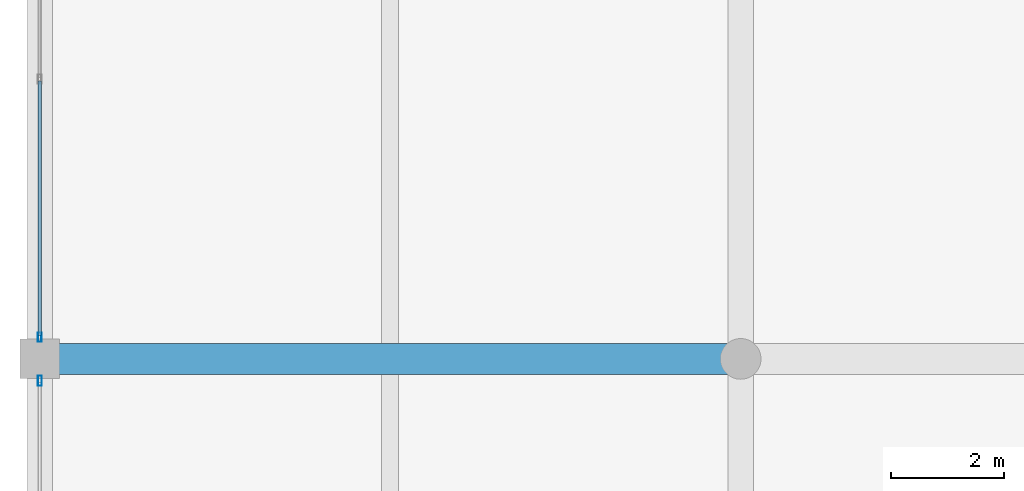
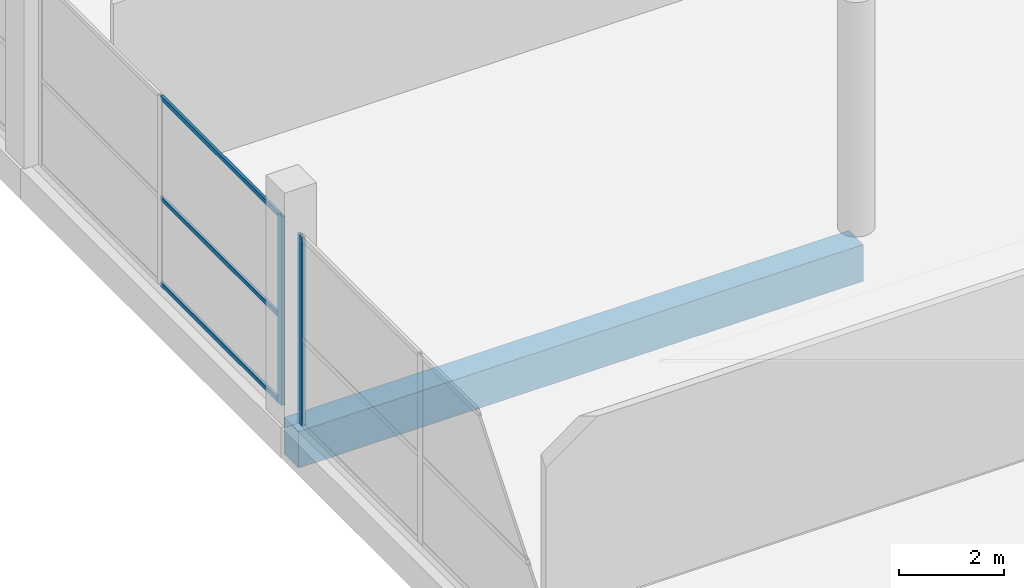
# One storey, part 22 of 72: 5 members, 1 beam, 2 elements without a shape of their own.
"""IFC4 building model written with IfcOpenShell, lengths in metres."""

import ifcopenshell
import ifcopenshell.guid

model = None  # the IFC model being written
_history = None  # IfcOwnerHistory: only IFC2X3 demands one
_inside = {}  # id of a spatial element -> (the spatial element, [elements in it])
_under = {}  # id of a project, library or spatial element -> (it, [spatial elements below it])
_declared = {}  # id of a project -> (the project, [libraries it declares])
_typed = {}  # id of a type object -> (the type object, [elements of that type])
_made_of = {}  # id of a material, layer set ... -> (it, [elements and type objects made of it])


def new_model(schema):
    """Start an empty IFC model of exactly this schema.

    Asked for "IFC4X3", IfcOpenShell would pick the latest addendum, in which some entities
    have other attributes; the version numbers below select the first issue.
    IFC2X3 requires an IfcOwnerHistory on every rooted entity: one is made here for all.
    """
    global model, _history
    if schema == "IFC4X3":
        model = ifcopenshell.file(schema_version=(4, 3, 0, 0))
    else:
        model = ifcopenshell.file(schema=schema)
    _inside.clear()
    _under.clear()
    _declared.clear()
    _typed.clear()
    _made_of.clear()
    _history = None
    if model.schema == "IFC2X3":
        org = make("IfcOrganization", Name="unknown")
        user = make(
            "IfcPersonAndOrganization",
            ThePerson=make("IfcPerson", FamilyName="unknown"),
            TheOrganization=org,
        )
        app = make(
            "IfcApplication",
            ApplicationDeveloper=org,
            Version="unknown",
            ApplicationFullName="unknown",
            ApplicationIdentifier="unknown",
        )
        _history = make(
            "IfcOwnerHistory",
            OwningUser=user,
            OwningApplication=app,
            ChangeAction="ADDED",
            CreationDate=0,
        )
    return model


def make(cls, **values):
    """One entity of the class cls with the attributes given. An attribute that is None is left unset."""
    return model.create_entity(
        cls, **{name: value for name, value in values.items() if value is not None}
    )


def rooted(cls, **values):
    """An entity with a GlobalId (a new one), such as an element, a storey or a relation."""
    return make(cls, GlobalId=ifcopenshell.guid.new(), OwnerHistory=_history, **values)


def si_unit(unit_type, name, prefix=None):
    """IfcSIUnit, for example si_unit("LENGTHUNIT", "METRE", prefix="MILLI")."""
    return make("IfcSIUnit", UnitType=unit_type, Prefix=prefix, Name=name)


def assignment(units):
    """IfcUnitAssignment: the units of a project."""
    return None if units is None else make("IfcUnitAssignment", Units=units)


def point(xyz):
    """IfcCartesianPoint."""
    return None if xyz is None else make("IfcCartesianPoint", Coordinates=xyz)


def direction(xyz):
    """IfcDirection."""
    return None if xyz is None else make("IfcDirection", DirectionRatios=xyz)


def frame(location, z_axis=None, x_axis=None):
    """IfcAxis2Placement3D, a coordinate frame: its origin and axes. An axis left out is left unset."""
    return make(
        "IfcAxis2Placement3D",
        Location=point(location),
        Axis=direction(z_axis),
        RefDirection=direction(x_axis),
    )


def frame_2d(location, x_axis=None):
    """IfcAxis2Placement2D, a coordinate frame in the plane: its origin and x axis."""
    return make(
        "IfcAxis2Placement2D", Location=point(location), RefDirection=direction(x_axis)
    )


def origin():
    """The frame at (0, 0, 0) with its axes left unset."""
    return frame((0.0, 0.0, 0.0))


def origin_2d():
    """The frame at (0, 0) in the plane with its x axis left unset."""
    return frame_2d((0.0, 0.0))


def place(relative_to, where):
    """IfcLocalPlacement: puts the frame where relative to a parent placement (None: the world)."""
    return make(
        "IfcLocalPlacement", PlacementRelTo=relative_to, RelativePlacement=where
    )


def context(
    kind, dimensions, precision=None, world=None, true_north=None, identifier=None
):
    """IfcGeometricRepresentationContext, for example the 3D "Model" context."""
    return make(
        "IfcGeometricRepresentationContext",
        ContextIdentifier=identifier,
        ContextType=kind,
        CoordinateSpaceDimension=dimensions,
        Precision=precision,
        WorldCoordinateSystem=world,
        TrueNorth=true_north,
    )


def subcontext(parent, identifier, kind, view, scale=None):
    """IfcGeometricRepresentationSubContext, for example "Body" below "Model"."""
    return make(
        "IfcGeometricRepresentationSubContext",
        ContextIdentifier=identifier,
        ContextType=kind,
        ParentContext=parent,
        TargetScale=scale,
        TargetView=view,
    )


def project(units=None, contexts=None):
    """IfcProject with its units and contexts."""
    return rooted(
        "IfcProject",
        Name="project",
        RepresentationContexts=contexts,
        UnitsInContext=assignment(units),
    )


def spatial(cls, under=None, at=None, **own):
    """A site, building, storey or space (cls), placed at a placement, below another one or the project."""
    s = rooted(cls, ObjectPlacement=at, **own)
    if under is not None:
        _under.setdefault(under.id(), (under, []))[1].append(s)
    return s


def profile(cls, at=None, kind="AREA", **sizes):
    """A parametric profile (cls). Its sizes go by their IFC names, for example OverallWidth=200.0."""
    return make(cls, ProfileType=kind, Position=at, **sizes)


def rectangle(**sizes):
    """IfcRectangleProfileDef."""
    return profile("IfcRectangleProfileDef", **sizes)


def hollow_rectangle(**sizes):
    """IfcRectangleHollowProfileDef."""
    return profile("IfcRectangleHollowProfileDef", **sizes)


def extrude(swept, where, along, depth):
    """IfcExtrudedAreaSolid: the profile swept, set in the frame where, extruded along a direction by depth."""
    return make(
        "IfcExtrudedAreaSolid",
        SweptArea=swept,
        Position=where,
        ExtrudedDirection=direction(along),
        Depth=depth,
    )


def shape(context_of_items, identifier, shape_type, items):
    """IfcShapeRepresentation: the items that make up one representation, for example the "Body"."""
    return make(
        "IfcShapeRepresentation",
        ContextOfItems=context_of_items,
        RepresentationIdentifier=identifier,
        RepresentationType=shape_type,
        Items=items,
    )


def material(Name=None, Category=None):
    """IfcMaterial."""
    return make("IfcMaterial", Name=Name, Category=Category)


def layer(
    of_material, thickness, ventilated=None, Name=None, Category=None, Priority=None
):
    """IfcMaterialLayer: one layer of a wall or slab, of a material (None: an air gap)."""
    return make(
        "IfcMaterialLayer",
        Material=of_material,
        LayerThickness=thickness,
        IsVentilated=ventilated,
        Name=Name,
        Category=Category,
        Priority=Priority,
    )


def layer_set(layers, Name=None):
    """IfcMaterialLayerSet."""
    return make("IfcMaterialLayerSet", MaterialLayers=layers, LayerSetName=Name)


def material_profile(
    of_material, cross_section, Name=None, Category=None, Priority=None
):
    """IfcMaterialProfile: a cross section and its material."""
    return make(
        "IfcMaterialProfile",
        Name=Name,
        Material=of_material,
        Profile=cross_section,
        Priority=Priority,
        Category=Category,
    )


def profile_set(profiles, Name=None, composite=None):
    """IfcMaterialProfileSet."""
    return make(
        "IfcMaterialProfileSet",
        Name=Name,
        MaterialProfiles=profiles,
        CompositeProfile=composite,
    )


def made_of(thing, what):
    """Note that an element or type object is made of a material, layer set ...; save() writes the relation."""
    if what is not None:
        _made_of.setdefault(what.id(), (what, []))[1].append(thing)
    return thing


def type_object(cls, material=None, **own):
    """A type object (cls), such as IfcWallType, which elements share."""
    return made_of(rooted(cls, **own), material)


def element(
    cls,
    number,
    at=None,
    inside=None,
    cuts=None,
    type_object=None,
    material=None,
    context=None,
    identifier="Body",
    shape_type=None,
    held_by="IfcProductDefinitionShape",
    body=None,
    shapes=None,
    **own,
):
    """One element of the class cls, such as IfcWall. Its Tag is "e" and its number.

    at: its placement. inside: the storey or other place that contains it. cuts: it is an
    opening in that element (IfcRelVoidsElement). A single representation is given by context,
    identifier, shape_type and body (its items); several are given by shapes. held_by: the class
    of the entity that holds the representations. save() writes the other relations.
    """
    e = rooted(cls, Tag="e%d" % number, ObjectPlacement=at, **own)
    if body is not None:
        shapes = [shape(context, identifier, shape_type, body)]
    if shapes is not None:
        e.Representation = make(held_by, Representations=shapes)
    if inside is not None:
        _inside.setdefault(inside.id(), (inside, []))[1].append(e)
    if cuts is not None:
        rooted(
            "IfcRelVoidsElement", RelatingBuildingElement=cuts, RelatedOpeningElement=e
        )
    if type_object is not None:
        _typed.setdefault(type_object.id(), (type_object, []))[1].append(e)
    return made_of(e, material)


def aggregate(whole, parts):
    """IfcRelAggregates: a whole, such as a stair, and the parts it consists of."""
    return rooted("IfcRelAggregates", RelatingObject=whole, RelatedObjects=parts)


def save(model, path):
    """Write the relations noted so far, then the file.

    IfcRelAggregates (storeys below a building ...), IfcRelContainedInSpatialStructure (elements
    in a storey), IfcRelDefinesByType, IfcRelAssociatesMaterial and IfcRelDeclares: one each for
    every whole, place, type object, material and project.
    """
    for whole, parts in _under.values():
        aggregate(whole, parts)
    for where, things in _inside.values():
        rooted(
            "IfcRelContainedInSpatialStructure",
            RelatedElements=things,
            RelatingStructure=where,
        )
    for kind, things in _typed.values():
        rooted("IfcRelDefinesByType", RelatedObjects=things, RelatingType=kind)
    for what, things in _made_of.values():
        rooted("IfcRelAssociatesMaterial", RelatedObjects=things, RelatingMaterial=what)
    for by, libraries in _declared.values():
        rooted("IfcRelDeclares", RelatingContext=by, RelatedDefinitions=libraries)
    model.write(path)


model = new_model("IFC4")

# Units and contexts
model_context = context("Model", 3, precision=1e-05, world=origin(), true_north=direction((0.0, 1.0)))
body_context = subcontext(model_context, "Body", "Model", "MODEL_VIEW")
ifc_project = project(units=[si_unit("LENGTHUNIT", "METRE"), si_unit("AREAUNIT", "SQUARE_METRE"), si_unit("VOLUMEUNIT", "CUBIC_METRE"), si_unit("PLANEANGLEUNIT", "RADIAN"), si_unit("MASSUNIT", "GRAM", prefix="KILO")], contexts=[model_context])

# Site, building, storey
site_placement = place(None, origin())
site = spatial("IfcSite", under=ifc_project, at=site_placement, CompositionType="ELEMENT")
building_placement = place(site_placement, origin())
building = spatial("IfcBuilding", under=site, at=building_placement, Name="Sillaruma Civic Art Gallery", CompositionType="ELEMENT")
storey_placement = place(building_placement, frame((0.0, 0.0, 10.8798828125)))
storey = spatial("IfcBuildingStorey", under=building, at=storey_placement, Name="L02", CompositionType="ELEMENT", Elevation=10.8798828125)

# Beam
ifc_material_1 = material(Name="Concrete H40 (40 MPa)", Category="concrete")
ifc_material_profile_1 = material_profile(ifc_material_1, rectangle(XDim=0.550048828125, YDim=0.85009765625, at=origin_2d()), Name="RCB550x850")
ifc_profile_set_1 = profile_set([ifc_material_profile_1], Name="Concrete H40 (40 MPa)")
beam_type = type_object("IfcBeamType", Name="BM-BEAM-RCB550x850", PredefinedType="BEAM", material=ifc_profile_set_1)
beam_placement = place(storey_placement, frame((0.0, 99.0, -0.684814453125), z_axis=(1.0, 0.0, 0.0), x_axis=(0.0, 1.0, 0.0)))
element("IfcBeam", 1, at=beam_placement, inside=storey, type_object=beam_type, Name="Beam BM-01 (L01:11:A-B)", PredefinedType="BEAM", context=body_context, shape_type="SweptSolid", body=[
    extrude(rectangle(XDim=0.550048828125, YDim=0.85009765625, at=origin_2d()), origin(), (0.0, 0.0, 1.0), 12.39990234375),
])

# Curtain wall, member
ifc_material_2 = material(Name="Thermally Broken Extruded Aluminium 6063-T6", Category="aluminium")
ifc_layer_1 = layer(ifc_material_2, 0.159912109375, Name="Thermally Broken Extruded Aluminium 6063-T6")
ifc_layer_set_1 = layer_set([ifc_layer_1], Name="Thermally Broken Extruded Aluminium 6063-T6")
curtain_wall_type_1 = type_object("IfcCurtainWallType", Name="CW-UNI-10", PredefinedType="NOTDEFINED", material=ifc_layer_set_1)
curtain_wall_1_placement = place(storey_placement, origin())
curtain_wall_1 = element("IfcCurtainWall", 2, at=curtain_wall_1_placement, inside=storey, type_object=curtain_wall_type_1, Name="Unitised Curtain Wall CW-10 (CW-L02-WSTR-3)", PredefinedType="NOTDEFINED")
ifc_material_profile_2 = material_profile(ifc_material_2, hollow_rectangle(XDim=0.06494140625, YDim=0.159912109375, WallThickness=0.00390625, at=origin_2d()), Name="CWM65x160")
ifc_profile_set_2 = profile_set([ifc_material_profile_2], Name="Thermally Broken Extruded Aluminium 6063-T6")
member_type_1 = type_object("IfcMemberType", Name="MEM-MUL-CWM65x160", PredefinedType="MULLION", material=ifc_profile_set_2)
member_1_placement = place(storey_placement, frame((0.0, 99.382568359375, 0.0), z_axis=(0.0, 0.0, 1.0), x_axis=(-1.0, 0.0, 0.0)))
member_1 = element("IfcMember", 3, at=member_1_placement, type_object=member_type_1, Name="CW-10 mullion 1", PredefinedType="MULLION", context=body_context, shape_type="SweptSolid", body=[
    extrude(hollow_rectangle(XDim=0.06494140625, YDim=0.159912109375, WallThickness=0.00390625, at=origin_2d()), origin(), (0.0, 0.0, 1.0), 4.380126953125),
])

ifc_layer_2 = layer(ifc_material_2, 0.179931640625, Name="Thermally Broken Extruded Aluminium 6063-T6")
ifc_layer_set_2 = layer_set([ifc_layer_2], Name="Thermally Broken Extruded Aluminium 6063-T6")
curtain_wall_type_2 = type_object("IfcCurtainWallType", Name="CW-UNI-09", PredefinedType="NOTDEFINED", material=ifc_layer_set_2)
curtain_wall_2_placement = place(storey_placement, origin())
curtain_wall_2 = element("IfcCurtainWall", 4, at=curtain_wall_2_placement, inside=storey, type_object=curtain_wall_type_2, Name="Unitised Curtain Wall CW-09 (CW-L02-WSTR-2)", PredefinedType="NOTDEFINED")
ifc_material_profile_3 = material_profile(ifc_material_2, hollow_rectangle(XDim=0.070068359375, YDim=0.179931640625, WallThickness=0.00390625, at=origin_2d()), Name="CWM70x180")
ifc_profile_set_3 = profile_set([ifc_material_profile_3], Name="Thermally Broken Extruded Aluminium 6063-T6")
member_type_2 = type_object("IfcMemberType", Name="MEM-MUL-CWM70x180", PredefinedType="MULLION", material=ifc_profile_set_3)
member_2_placement = place(storey_placement, frame((0.0, 98.614990234375, 0.0), z_axis=(0.0, 0.0, 1.0), x_axis=(-1.0, 0.0, 0.0)))
member_2 = element("IfcMember", 5, at=member_2_placement, type_object=member_type_2, Name="CW-09 mullion 3", PredefinedType="MULLION", context=body_context, shape_type="SweptSolid", body=[
    extrude(hollow_rectangle(XDim=0.070068359375, YDim=0.179931640625, WallThickness=0.00390625, at=origin_2d()), origin(), (0.0, 0.0, 1.0), 4.380126953125),
])
aggregate(curtain_wall_2, [member_2])

# Member
ifc_material_profile_4 = material_profile(ifc_material_2, hollow_rectangle(XDim=0.06005859375, YDim=0.10009765625, WallThickness=0.003173828125, at=origin_2d()), Name="CWT60x100")
ifc_profile_set_4 = profile_set([ifc_material_profile_4], Name="Thermally Broken Extruded Aluminium 6063-T6")
member_type_3 = type_object("IfcMemberType", Name="MEM-TRN-CWT60x100", PredefinedType="USERDEFINED", material=ifc_profile_set_4)
member_3_placement = place(storey_placement, frame((0.0, 99.4150390625, 0.030029296875), z_axis=(0.0, 1.0, 0.0), x_axis=(-1.0, 0.0, 0.0)))
member_3 = element("IfcMember", 6, at=member_3_placement, type_object=member_type_3, Name="CW-10 transom 1.1", ObjectType="TRANSOM", PredefinedType="USERDEFINED", context=body_context, shape_type="SweptSolid", body=[
    extrude(hollow_rectangle(XDim=0.06005859375, YDim=0.10009765625, WallThickness=0.003173828125, at=origin_2d()), origin(), (0.0, 0.0, 1.0), 4.50244140625),
])

member_4_placement = place(storey_placement, frame((0.0, 99.4150390625, 2.014892578125), z_axis=(0.0, 1.0, 0.0), x_axis=(-1.0, 0.0, 0.0)))
member_4 = element("IfcMember", 7, at=member_4_placement, type_object=member_type_3, Name="CW-10 transom 1.2", ObjectType="TRANSOM", PredefinedType="USERDEFINED", context=body_context, shape_type="SweptSolid", body=[
    extrude(hollow_rectangle(XDim=0.06005859375, YDim=0.10009765625, WallThickness=0.003173828125, at=origin_2d()), origin(), (0.0, 0.0, 1.0), 4.50244140625),
])

member_5_placement = place(storey_placement, frame((0.0, 99.4150390625, 4.35009765625), z_axis=(0.0, 1.0, 0.0), x_axis=(-1.0, 0.0, 0.0)))
member_5 = element("IfcMember", 8, at=member_5_placement, type_object=member_type_3, Name="CW-10 transom 1.3", ObjectType="TRANSOM", PredefinedType="USERDEFINED", context=body_context, shape_type="SweptSolid", body=[
    extrude(hollow_rectangle(XDim=0.06005859375, YDim=0.10009765625, WallThickness=0.003173828125, at=origin_2d()), origin(), (0.0, 0.0, 1.0), 4.50244140625),
])

aggregate(curtain_wall_1, [member_1, member_3, member_4, member_5])

save(model, "model.ifc")
